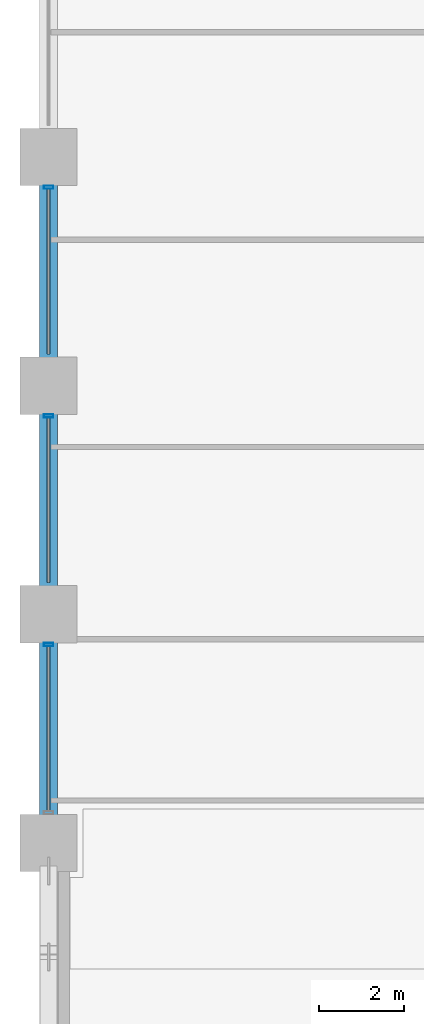
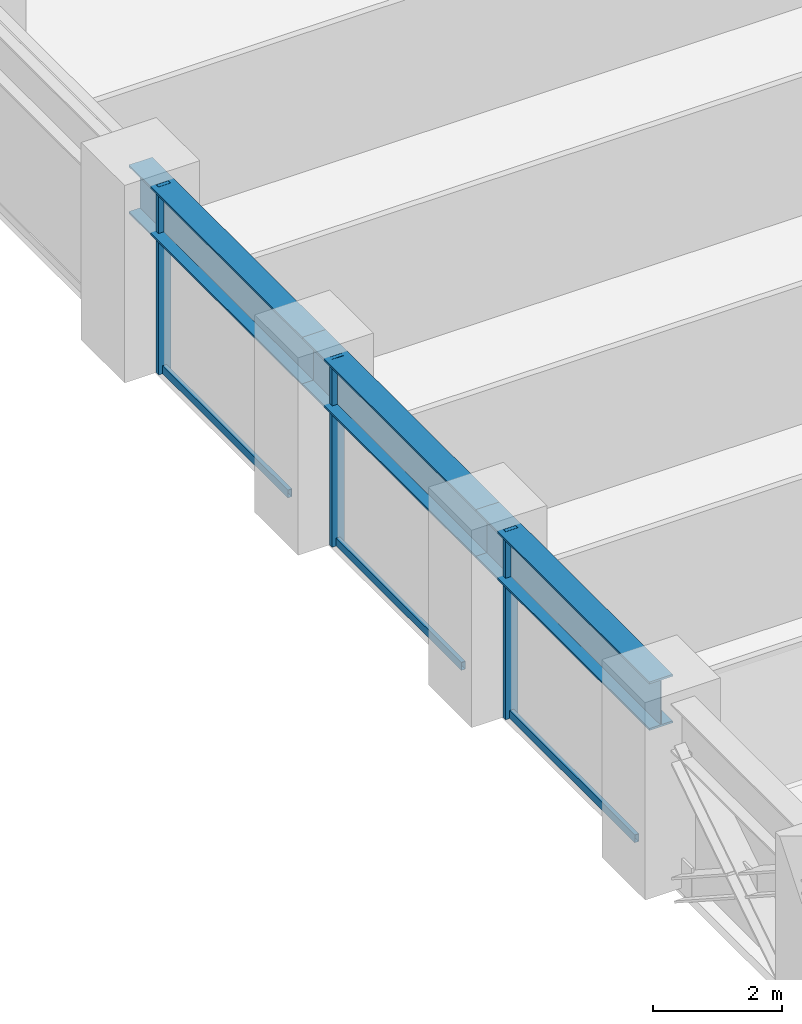
# One storey, part 6 of 25: 6 members, 3 beams, 1 element without a shape of its own.
"""IFC4 building model written with IfcOpenShell, lengths in metres."""

from ifc_helpers import new_model, si_unit, direction, frame, origin, origin_2d, place, context, subcontext, project, spatial, hollow_rectangle, i_section, extrude, material, layer, layer_set, material_profile, profile_set, type_object, element, aggregate, save


model = new_model("IFC4")

# Units and contexts
model_context = context("Model", 3, precision=1e-05, world=origin(), true_north=direction((0.0, 1.0)))
body_context = subcontext(model_context, "Body", "Model", "MODEL_VIEW")
ifc_project = project(units=[si_unit("LENGTHUNIT", "METRE"), si_unit("AREAUNIT", "SQUARE_METRE"), si_unit("VOLUMEUNIT", "CUBIC_METRE"), si_unit("PLANEANGLEUNIT", "RADIAN"), si_unit("MASSUNIT", "GRAM", prefix="KILO")], contexts=[model_context])

# Site, building, storey
site_placement = place(None, origin())
site = spatial("IfcSite", under=ifc_project, at=site_placement, CompositionType="ELEMENT")
building_placement = place(site_placement, origin())
building = spatial("IfcBuilding", under=site, at=building_placement, Name="Surkhivell Harbour Commons", CompositionType="ELEMENT")
storey_placement = place(building_placement, frame((0.0, 0.0, 41.25)))
storey = spatial("IfcBuildingStorey", under=building, at=storey_placement, Name="L10", CompositionType="ELEMENT", Elevation=41.25)

# Beams
ifc_material_1 = material(Name="Steel S460", Category="steel")
ifc_material_profile_1 = material_profile(ifc_material_1, i_section(OverallWidth=0.419921875, OverallDepth=0.9208984375, WebThickness=0.021484375, FlangeThickness=0.03662109375, at=origin_2d()), Name="UB914x419x388")
ifc_profile_set_1 = profile_set([ifc_material_profile_1], Name="Steel S460")
beam_type = type_object("IfcBeamType", Name="BM-SPN-914A", PredefinedType="SPANDREL", material=ifc_profile_set_1)
beam_placement = place(storey_placement, frame((-32.39990234375, -10.800048828125, 3.109619140625), z_axis=(0.0, 1.0, 0.0), x_axis=(-1.0, 0.0, 0.0)))
element("IfcBeam", 1, at=beam_placement, inside=storey, type_object=beam_type, Name="L10 Tube Spandrel (-32.4,-10.8)", PredefinedType="SPANDREL", context=body_context, shape_type="SweptSolid", body=[
    extrude(i_section(OverallWidth=0.419921875, OverallDepth=0.9208984375, WebThickness=0.021484375, FlangeThickness=0.03662109375, at=origin_2d()), origin(), (0.0, 0.0, 1.0), 5.400146484375),
])
for number, where, z_axis, x_axis, name in (
    (2, (-32.39990234375, -5.39990234375, 3.109619140625), (0.0, 1.0, 0.0), (-1.0, 0.0, 0.0), "L10 Tube Spandrel (-32.4,-5.4)"),
    (3, (-32.39990234375, 0.0, 3.109619140625), (0.0, 1.0, 0.0), (-1.0, 0.0, 0.0), "L10 Tube Spandrel (-32.4,0.0)"),
):
    element("IfcBeam", number, at=place(storey_placement, frame(where, z_axis=z_axis, x_axis=x_axis)), inside=storey, type_object=beam_type, Name=name, PredefinedType="SPANDREL", context=body_context, shape_type="SweptSolid", body=[
        extrude(i_section(OverallWidth=0.419921875, OverallDepth=0.9208984375, WebThickness=0.021484375, FlangeThickness=0.03662109375, at=origin_2d()), origin(), (0.0, 0.0, 1.0), 5.39990234375),
    ])

# Curtain wall, members
ifc_material_2 = material(Name="Anodised pale-metal aluminium and insulated glazing", Category="aluminium")
ifc_layer = layer(ifc_material_2, 0.219970703125)
ifc_layer_set = layer_set([ifc_layer], Name="Anodised pale-metal aluminium and insulated glazing")
curtain_wall_type = type_object("IfcCurtainWallType", Name="CW-SYS-Z1", PredefinedType="NOTDEFINED", material=ifc_layer_set)
curtain_wall_placement = place(storey_placement, origin())
curtain_wall = element("IfcCurtainWall", 4, at=curtain_wall_placement, inside=storey, type_object=curtain_wall_type, Name="L10 Curtain Wall CW-L10-E12S1", PredefinedType="NOTDEFINED")
ifc_material_3 = material(Name="Anodised pale-metal aluminium alloy 6063-T6", Category="aluminium")
ifc_material_profile_2 = material_profile(ifc_material_3, hollow_rectangle(XDim=0.074951171875, YDim=0.219970703125, WallThickness=0.00390625, at=origin_2d()), Name="ALU-MULL-75x220")
ifc_profile_set_2 = profile_set([ifc_material_profile_2], Name="Anodised pale-metal aluminium alloy 6063-T6")
member_type_1 = type_object("IfcMemberType", Name="CWM-220", PredefinedType="MULLION", material=ifc_profile_set_2)
member_1_placement = place(storey_placement, frame((-32.39990234375, 4.685546875, 0.0), z_axis=(0.0, 0.0, 1.0), x_axis=(0.0, -1.0, 0.0)))
member_1 = element("IfcMember", 5, at=member_1_placement, type_object=member_type_1, Name="CW-Z1 mullion 4", PredefinedType="MULLION", context=body_context, shape_type="SweptSolid", body=[
    extrude(hollow_rectangle(XDim=0.074951171875, YDim=0.219970703125, WallThickness=0.00390625, at=origin_2d()), origin(), (0.0, 0.0, 1.0), 3.570068359375),
])
member_2_placement = place(storey_placement, frame((-32.39990234375, -0.714599609375, 0.0), z_axis=(0.0, 0.0, 1.0), x_axis=(0.0, -1.0, 0.0)))
member_2 = element("IfcMember", 6, at=member_2_placement, type_object=member_type_1, Name="CW-Z1 mullion 5", PredefinedType="MULLION", context=body_context, shape_type="SweptSolid", body=[
    extrude(hollow_rectangle(XDim=0.074951171875, YDim=0.219970703125, WallThickness=0.00390625, at=origin_2d()), origin(), (0.0, 0.0, 1.0), 3.570068359375),
])
member_3_placement = place(storey_placement, frame((-32.39990234375, -6.114501953125, 0.0), z_axis=(0.0, 0.0, 1.0), x_axis=(0.0, -1.0, 0.0)))
member_3 = element("IfcMember", 7, at=member_3_placement, type_object=member_type_1, Name="CW-Z1 mullion 6", PredefinedType="MULLION", context=body_context, shape_type="SweptSolid", body=[
    extrude(hollow_rectangle(XDim=0.074951171875, YDim=0.219970703125, WallThickness=0.00390625, at=origin_2d()), origin(), (0.0, 0.0, 1.0), 3.570068359375),
])
ifc_material_profile_3 = material_profile(ifc_material_3, hollow_rectangle(XDim=0.074951171875, YDim=0.14990234375, WallThickness=0.00341796875, at=origin_2d()), Name="ALU-TRAN-75x150")
ifc_profile_set_3 = profile_set([ifc_material_profile_3], Name="Anodised pale-metal aluminium alloy 6063-T6")
member_type_2 = type_object("IfcMemberType", Name="CWT-150", PredefinedType="USERDEFINED", material=ifc_profile_set_3)
member_4_placement = place(storey_placement, frame((-32.39990234375, 4.64794921875, 0.074951171875), z_axis=(0.0, -1.0, 0.0), x_axis=(1.0, 0.0, 0.0)))
member_4 = element("IfcMember", 8, at=member_4_placement, type_object=member_type_2, Name="CW-Z1 transom 4.1", ObjectType="TRANSOM", PredefinedType="USERDEFINED", context=body_context, shape_type="SweptSolid", body=[
    extrude(hollow_rectangle(XDim=0.074951171875, YDim=0.14990234375, WallThickness=0.00341796875, at=origin_2d()), origin(), (0.0, 0.0, 1.0), 3.89599609375),
])
member_5_placement = place(storey_placement, frame((-32.39990234375, -0.751953125, 0.074951171875), z_axis=(0.0, -1.0, 0.0), x_axis=(1.0, 0.0, 0.0)))
member_5 = element("IfcMember", 9, at=member_5_placement, type_object=member_type_2, Name="CW-Z1 transom 5.1", ObjectType="TRANSOM", PredefinedType="USERDEFINED", context=body_context, shape_type="SweptSolid", body=[
    extrude(hollow_rectangle(XDim=0.074951171875, YDim=0.14990234375, WallThickness=0.00341796875, at=origin_2d()), origin(), (0.0, 0.0, 1.0), 3.89599609375),
])
member_6_placement = place(storey_placement, frame((-32.39990234375, -6.152099609375, 0.074951171875), z_axis=(0.0, -1.0, 0.0), x_axis=(1.0, 0.0, 0.0)))
member_6 = element("IfcMember", 10, at=member_6_placement, type_object=member_type_2, Name="CW-Z1 transom 6.1", ObjectType="TRANSOM", PredefinedType="USERDEFINED", context=body_context, shape_type="SweptSolid", body=[
    extrude(hollow_rectangle(XDim=0.074951171875, YDim=0.14990234375, WallThickness=0.00341796875, at=origin_2d()), origin(), (0.0, 0.0, 1.0), 3.89599609375),
])
aggregate(curtain_wall, [member_1, member_4, member_2, member_5, member_3, member_6])

save(model, "model.ifc")
